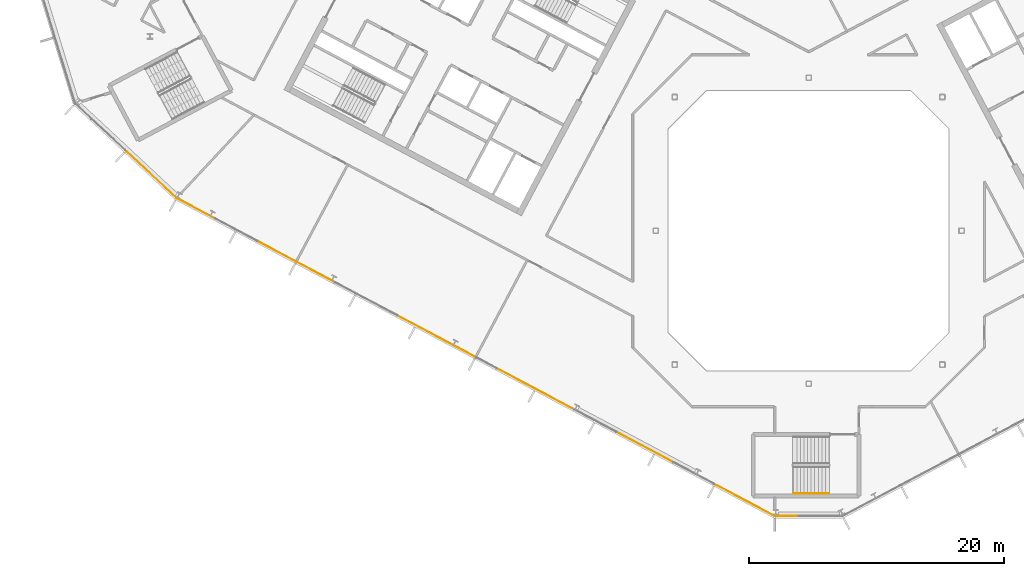
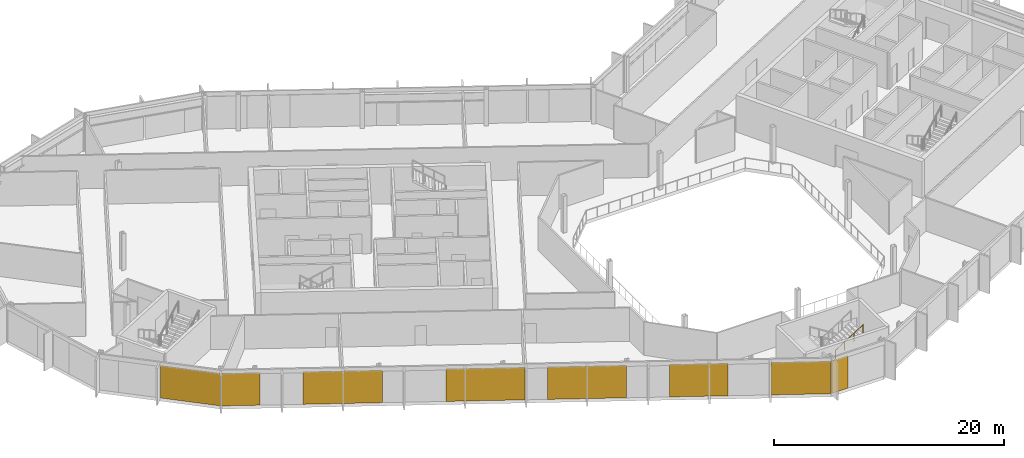
# One storey, part 19 of 26: 8 coverings, 1 railing, 3 elements without a shape of their own.
"""IFC4 building model written with IfcOpenShell, lengths in metres."""

from ifc_helpers import new_model, si_unit, direction, frame, origin, origin_2d, place, context, subcontext, project, spatial, polyline, rectangle, outline, extrude, material, layer, layer_set, type_object, element, aggregate, save


model = new_model("IFC4")

# Units and contexts
model_context = context("Model", 3, precision=1e-05, world=origin(), true_north=direction((0.0, 1.0)))
body_context = subcontext(model_context, "Body", "Model", "MODEL_VIEW")
ifc_project = project(units=[si_unit("LENGTHUNIT", "METRE"), si_unit("AREAUNIT", "SQUARE_METRE"), si_unit("VOLUMEUNIT", "CUBIC_METRE"), si_unit("PLANEANGLEUNIT", "RADIAN"), si_unit("MASSUNIT", "GRAM", prefix="KILO")], contexts=[model_context])

# Site, building, storey
site_placement = place(None, origin())
site = spatial("IfcSite", under=ifc_project, at=site_placement, CompositionType="ELEMENT")
building_placement = place(site_placement, origin())
building = spatial("IfcBuilding", under=site, at=building_placement, Name="Cormorant Relay Tower", CompositionType="ELEMENT")
storey_placement = place(building_placement, frame((0.0, 0.0, 304.800048828125)))
storey = spatial("IfcBuildingStorey", under=building, at=storey_placement, Name="L69", CompositionType="ELEMENT", Elevation=304.800048828125)

# Curtain wall, covering
ifc_material_1 = material(Name="Aluminium 6063-T6 anodised bronze", Category="aluminium")
ifc_layer_1 = layer(ifc_material_1, 0.199951171875)
ifc_layer_set_1 = layer_set([ifc_layer_1], Name="CW1 unitised bronze curtain wall with vertical fins")
curtain_wall_type = type_object("IfcCurtainWallType", Name="CW1 unitised bronze curtain wall with vertical fins", PredefinedType="NOTDEFINED", material=ifc_layer_set_1)
curtain_wall_1_placement = place(storey_placement, origin())
curtain_wall_1 = element("IfcCurtainWall", 1, at=curtain_wall_1_placement, inside=storey, type_object=curtain_wall_type, Name="CW1 curtain wall 1", PredefinedType="NOTDEFINED")
ifc_material_2 = material(Name="Pale bronze anodised aluminium insulated panel", Category="aluminium")
ifc_layer_2 = layer(ifc_material_2, 0.0400390625)
ifc_layer_set_2 = layer_set([ifc_layer_2], Name="CW1 pale bronze insulated panel 40")
covering_type = type_object("IfcCoveringType", Name="CW1 pale bronze insulated panel 40", PredefinedType="CLADDING", material=ifc_layer_set_2)
covering_1_placement = place(storey_placement, frame((-1.762451171875, -22.3955078125, 0.0), z_axis=(0.0, 0.0, 1.0), x_axis=(1.0, 0.0, 0.0)))
covering_1 = element("IfcCovering", 2, at=covering_1_placement, type_object=covering_type, Name="CW1 panel S00", PredefinedType="CLADDING", context=body_context, shape_type="SweptSolid", body=[
    extrude(rectangle(XDim=1.622802734375, YDim=0.0400390625, at=origin_2d()), origin(), (0.0, 0.0, 1.0), 3.449951171875),
])
aggregate(curtain_wall_1, [covering_1])

curtain_wall_2_placement = place(storey_placement, origin())
curtain_wall_2 = element("IfcCurtainWall", 3, at=curtain_wall_2_placement, inside=storey, type_object=curtain_wall_type, Name="CW1 curtain wall 15", PredefinedType="NOTDEFINED")
covering_2_placement = place(storey_placement, frame((-51.565185546875, 4.3974609375, 0.0), z_axis=(0.0, 0.0, 1.0), x_axis=(0.731353701619, -0.681998360062, 0.0)))
covering_2 = element("IfcCovering", 4, at=covering_2_placement, type_object=covering_type, Name="CW1 panel S02", PredefinedType="CLADDING", context=body_context, shape_type="SweptSolid", body=[
    extrude(rectangle(XDim=5.360107421875, YDim=0.0400390625, at=origin_2d()), origin(), (0.0, 0.0, 1.0), 3.449951171875),
])
aggregate(curtain_wall_2, [covering_2])

# Curtain wall, coverings
curtain_wall_3_placement = place(storey_placement, origin())
curtain_wall_3 = element("IfcCurtainWall", 5, at=curtain_wall_3_placement, inside=storey, type_object=curtain_wall_type, Name="CW1 curtain wall 16", PredefinedType="NOTDEFINED")
covering_3_placement = place(storey_placement, frame((-48.048583984375, 1.7412109375, 0.0), z_axis=(0.0, 0.0, 1.0), x_axis=(0.882947592859, -0.469471562786, 0.0)))
covering_3 = element("IfcCovering", 6, at=covering_3_placement, type_object=covering_type, Name="CW1 panel S00", PredefinedType="CLADDING", context=body_context, shape_type="SweptSolid", body=[
    extrude(rectangle(XDim=3.36669921875, YDim=0.0400390625, at=origin_2d()), origin(), (0.0, 0.0, 1.0), 3.449951171875),
])
covering_4_placement = place(storey_placement, frame((-40.21240234375, -2.42529296875, 0.0), z_axis=(0.0, 0.0, 1.0), x_axis=(0.882947592859, -0.469471562786, 0.0)))
covering_4 = element("IfcCovering", 7, at=covering_4_placement, type_object=covering_type, Name="CW1 panel S03", PredefinedType="CLADDING", context=body_context, shape_type="SweptSolid", body=[
    extrude(rectangle(XDim=6.88330078125, YDim=0.0400390625, at=origin_2d()), origin(), (0.0, 0.0, 1.0), 3.449951171875),
])
covering_5_placement = place(storey_placement, frame((-29.234619140625, -8.26220703125, 0.0), z_axis=(0.0, 0.0, 1.0), x_axis=(0.882947592859, -0.469471562786, 0.0)))
covering_5 = element("IfcCovering", 8, at=covering_5_placement, type_object=covering_type, Name="CW1 panel S06", PredefinedType="CLADDING", context=body_context, shape_type="SweptSolid", body=[
    extrude(rectangle(XDim=6.88330078125, YDim=0.0400390625, at=origin_2d()), origin(), (0.0, 0.0, 1.0), 3.449951171875),
])
covering_6_placement = place(storey_placement, frame((-21.435302734375, -12.4091796875, 0.0), z_axis=(0.0, 0.0, 1.0), x_axis=(0.882947592859, -0.469471562786, 0.0)))
covering_6 = element("IfcCovering", 9, at=covering_6_placement, type_object=covering_type, Name="CW1 panel S08", PredefinedType="CLADDING", context=body_context, shape_type="SweptSolid", body=[
    extrude(rectangle(XDim=6.88330078125, YDim=0.0400390625, at=origin_2d()), origin(), (0.0, 0.0, 1.0), 3.449951171875),
])
covering_7_placement = place(storey_placement, frame((-12.84130859375, -16.978759765625, 0.0), z_axis=(0.0, 0.0, 1.0), x_axis=(0.882947592859, -0.469471562786, 0.0)))
covering_7 = element("IfcCovering", 10, at=covering_7_placement, type_object=covering_type, Name="CW1 panel S11", PredefinedType="CLADDING", context=body_context, shape_type="SweptSolid", body=[
    extrude(rectangle(XDim=5.083251953125, YDim=0.0400390625, at=origin_2d()), origin(), (0.0, 0.0, 1.0), 3.449951171875),
])
covering_8_placement = place(storey_placement, frame((-4.972412109375, -21.162841796875, 0.0), z_axis=(0.0, 0.0, 1.0), x_axis=(0.882947592859, -0.469471562786, 0.0)))
covering_8 = element("IfcCovering", 11, at=covering_8_placement, type_object=covering_type, Name="CW1 panel S13", PredefinedType="CLADDING", context=body_context, shape_type="SweptSolid", body=[
    extrude(rectangle(XDim=5.24169921875, YDim=0.0400390625, at=origin_2d()), origin(), (0.0, 0.0, 1.0), 3.449951171875),
])
aggregate(curtain_wall_3, [covering_3, covering_4, covering_5, covering_6, covering_7, covering_8])

# Railing
ifc_material_3 = material(Name="Steel ASTM A572 Grade 50 (Fy 345 MPa)", Category="steel")
railing_type = type_object("IfcRailingType", Name="Stair handrail 900", PredefinedType="HANDRAIL", material=ifc_material_3)
railing_placement = place(storey_placement, frame((-1.199951171875, -20.625, 2.127197265625)))
element("IfcRailing", 12, at=railing_placement, inside=storey, type_object=railing_type, Name="L69 RK1 stair handrail 2", PredefinedType="HANDRAIL", context=body_context, shape_type="SweptSolid", body=[
    extrude(outline(polyline([(0.022216796875, 0.00927734375), (0.00927734375, 0.022216796875), (-0.00927734375, 0.022216796875), (-0.022216796875, 0.00927734375), (-0.022216796875, -0.00927734375), (-0.00927734375, -0.022216796875), (0.00927734375, -0.022216796875), (0.022216796875, -0.00927734375), (0.022216796875, 0.00927734375)])), frame((0.0, 0.0, 0.8759765625), z_axis=(0.844908973607, 0.0, 0.534910110503), x_axis=(0.0, 1.0, 0.0)), (0.0, 0.0, 1.0), 3.31396484375),
    extrude(outline(polyline([(0.019287109375, 0.008056640625), (0.008056640625, 0.019287109375), (-0.008056640625, 0.019287109375), (-0.019287109375, 0.008056640625), (-0.019287109375, -0.008056640625), (-0.008056640625, -0.019287109375), (0.008056640625, -0.019287109375), (0.019287109375, -0.008056640625), (0.019287109375, 0.008056640625)])), origin(), (0.0, 0.0, 1.0), 0.851806640625),
    extrude(outline(polyline([(0.019287109375, 0.008056640625), (0.008056640625, 0.019287109375), (-0.008056640625, 0.019287109375), (-0.019287109375, 0.008056640625), (-0.019287109375, -0.008056640625), (-0.008056640625, -0.019287109375), (0.008056640625, -0.019287109375), (0.019287109375, -0.008056640625), (0.019287109375, 0.008056640625)])), frame((0.933349609375, 0.0, 0.5908203125)), (0.0, 0.0, 1.0), 0.851806640625),
    extrude(outline(polyline([(0.019287109375, 0.008056640625), (0.008056640625, 0.019287109375), (-0.008056640625, 0.019287109375), (-0.019287109375, 0.008056640625), (-0.019287109375, -0.008056640625), (-0.008056640625, -0.019287109375), (0.008056640625, -0.019287109375), (0.019287109375, -0.008056640625), (0.019287109375, 0.008056640625)])), frame((1.86669921875, 0.0, 1.181884765625)), (0.0, 0.0, 1.0), 0.851806640625),
    extrude(outline(polyline([(0.019287109375, 0.008056640625), (0.008056640625, 0.019287109375), (-0.008056640625, 0.019287109375), (-0.019287109375, 0.008056640625), (-0.019287109375, -0.008056640625), (-0.008056640625, -0.019287109375), (0.008056640625, -0.019287109375), (0.019287109375, -0.008056640625), (0.019287109375, 0.008056640625)])), frame((2.800048828125, 0.0, 1.772705078125)), (0.0, 0.0, 1.0), 0.851806640625),
])

save(model, "model.ifc")
